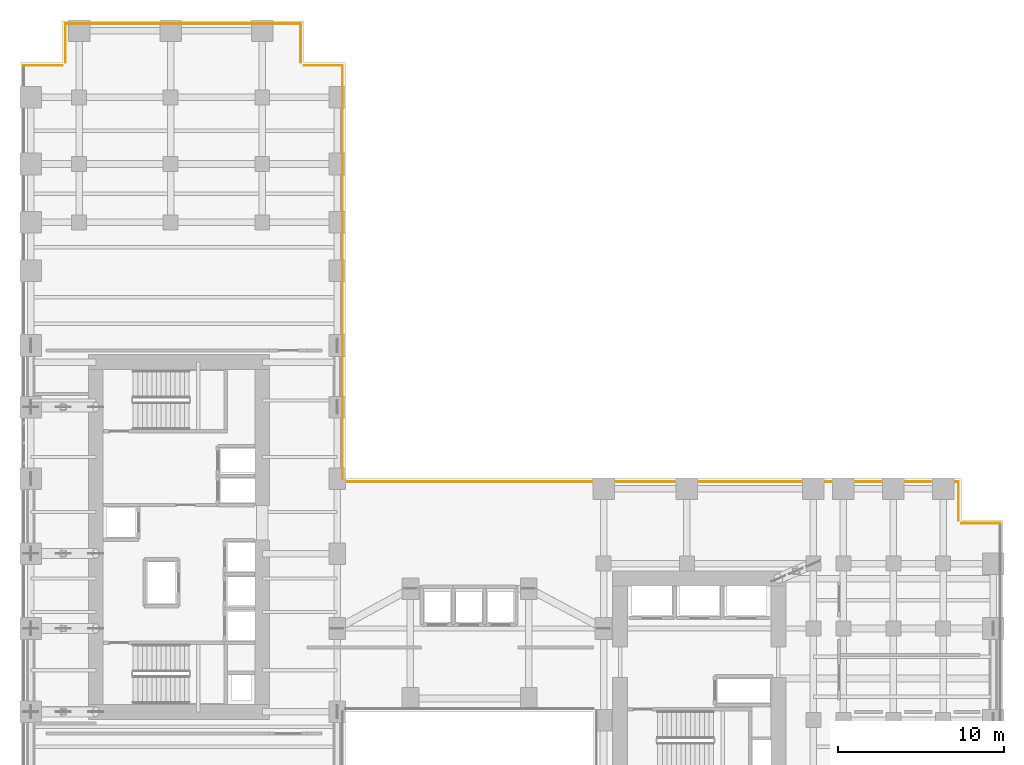
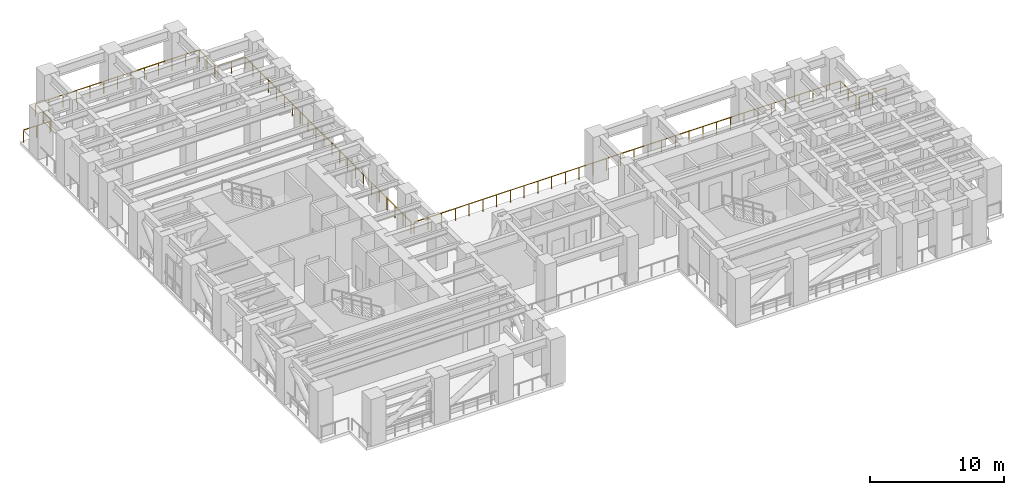
# One storey, part 16 of 16: 9 railings.
"""IFC4 building model written with IfcOpenShell, lengths in metres."""

from ifc_helpers import new_model, si_unit, direction, frame, origin, origin_2d, place, context, subcontext, project, spatial, circle, extrude, source, transform, mapped, material, layer, layer_set, type_object, element, save


model = new_model("IFC4")

# Units and contexts
model_context = context("Model", 3, precision=1e-05, world=origin(), true_north=direction((0.0, 1.0)))
body_context = subcontext(model_context, "Body", "Model", "MODEL_VIEW")
ifc_project = project(units=[si_unit("LENGTHUNIT", "METRE"), si_unit("AREAUNIT", "SQUARE_METRE"), si_unit("VOLUMEUNIT", "CUBIC_METRE"), si_unit("PLANEANGLEUNIT", "RADIAN"), si_unit("MASSUNIT", "GRAM", prefix="KILO")], contexts=[model_context])

# Site, building, storey
site_placement = place(None, origin())
site = spatial("IfcSite", under=ifc_project, at=site_placement, CompositionType="ELEMENT")
building_placement = place(site_placement, origin())
building = spatial("IfcBuilding", under=site, at=building_placement, Name="Kharzan Plaza Tower", CompositionType="ELEMENT")
storey_placement = place(building_placement, frame((0.0, 0.0, 72.89990234375)))
storey = spatial("IfcBuildingStorey", under=building, at=storey_placement, Name="L19", CompositionType="ELEMENT", Elevation=72.89990234375)

# Railings
ifc_material = material(Name="Painted Galvanized Architectural Steel", Category="steel")
ifc_layer = layer(ifc_material, 0.074951171875)
ifc_layer_set = layer_set([ifc_layer], Name="Painted Galvanized Architectural Steel")
railing_type = type_object("IfcRailingType", Name="RL-GUARD-1120", PredefinedType="BALUSTRADE", material=ifc_layer_set)
shared_shape_1 = source(origin(), body_context, "Body", "SweptSolid", [
    extrude(circle(Radius=0.02392578125, at=origin_2d()), frame((0.0263671875, 0.0, 1.09619140625), z_axis=(1.0, 0.0, 0.0), x_axis=(0.0, 1.0, 0.0)), (0.0, 0.0, 1.0), 36.76708984375),
    extrude(circle(Radius=0.02099609375, at=origin_2d()), origin(), (0.0, 0.0, 1.0), 1.072021484375),
    extrude(circle(Radius=0.02099609375, at=origin_2d()), frame((1.187744140625, 0.0, 0.0)), (0.0, 0.0, 1.0), 1.072021484375),
    extrude(circle(Radius=0.02099609375, at=origin_2d()), frame((2.37548828125, 0.0, 0.0)), (0.0, 0.0, 1.0), 1.072021484375),
    extrude(circle(Radius=0.02099609375, at=origin_2d()), frame((3.563232421875, 0.0, 0.0)), (0.0, 0.0, 1.0), 1.072021484375),
    extrude(circle(Radius=0.02099609375, at=origin_2d()), frame((4.7509765625, 0.0, 0.0)), (0.0, 0.0, 1.0), 1.072021484375),
    extrude(circle(Radius=0.02099609375, at=origin_2d()), frame((5.938720703125, 0.0, 0.0)), (0.0, 0.0, 1.0), 1.072021484375),
    extrude(circle(Radius=0.02099609375, at=origin_2d()), frame((7.12646484375, 0.0, 0.0)), (0.0, 0.0, 1.0), 1.072021484375),
    extrude(circle(Radius=0.02099609375, at=origin_2d()), frame((8.314208984375, 0.0, 0.0)), (0.0, 0.0, 1.0), 1.072021484375),
    extrude(circle(Radius=0.02099609375, at=origin_2d()), frame((9.501953125, 0.0, 0.0)), (0.0, 0.0, 1.0), 1.072021484375),
    extrude(circle(Radius=0.02099609375, at=origin_2d()), frame((10.689697265625, 0.0, 0.0)), (0.0, 0.0, 1.0), 1.072021484375),
    extrude(circle(Radius=0.02099609375, at=origin_2d()), frame((11.87744140625, 0.0, 0.0)), (0.0, 0.0, 1.0), 1.072021484375),
    extrude(circle(Radius=0.02099609375, at=origin_2d()), frame((13.065185546875, 0.0, 0.0)), (0.0, 0.0, 1.0), 1.072021484375),
    extrude(circle(Radius=0.02099609375, at=origin_2d()), frame((14.2529296875, 0.0, 0.0)), (0.0, 0.0, 1.0), 1.072021484375),
    extrude(circle(Radius=0.02099609375, at=origin_2d()), frame((15.440673828125, 0.0, 0.0)), (0.0, 0.0, 1.0), 1.072021484375),
    extrude(circle(Radius=0.02099609375, at=origin_2d()), frame((16.62841796875, 0.0, 0.0)), (0.0, 0.0, 1.0), 1.072021484375),
    extrude(circle(Radius=0.02099609375, at=origin_2d()), frame((17.816162109375, 0.0, 0.0)), (0.0, 0.0, 1.0), 1.072021484375),
    extrude(circle(Radius=0.02099609375, at=origin_2d()), frame((19.00390625, 0.0, 0.0)), (0.0, 0.0, 1.0), 1.072021484375),
    extrude(circle(Radius=0.02099609375, at=origin_2d()), frame((20.191650390625, 0.0, 0.0)), (0.0, 0.0, 1.0), 1.072021484375),
    extrude(circle(Radius=0.02099609375, at=origin_2d()), frame((21.37939453125, 0.0, 0.0)), (0.0, 0.0, 1.0), 1.072021484375),
    extrude(circle(Radius=0.02099609375, at=origin_2d()), frame((22.567138671875, 0.0, 0.0)), (0.0, 0.0, 1.0), 1.072021484375),
    extrude(circle(Radius=0.02099609375, at=origin_2d()), frame((23.7548828125, 0.0, 0.0)), (0.0, 0.0, 1.0), 1.072021484375),
    extrude(circle(Radius=0.02099609375, at=origin_2d()), frame((24.942626953125, 0.0, 0.0)), (0.0, 0.0, 1.0), 1.072021484375),
    extrude(circle(Radius=0.02099609375, at=origin_2d()), frame((26.13037109375, 0.0, 0.0)), (0.0, 0.0, 1.0), 1.072021484375),
    extrude(circle(Radius=0.02099609375, at=origin_2d()), frame((27.318115234375, 0.0, 0.0)), (0.0, 0.0, 1.0), 1.072021484375),
    extrude(circle(Radius=0.02099609375, at=origin_2d()), frame((28.505859375, 0.0, 0.0)), (0.0, 0.0, 1.0), 1.072021484375),
    extrude(circle(Radius=0.02099609375, at=origin_2d()), frame((29.693603515625, 0.0, 0.0)), (0.0, 0.0, 1.0), 1.072021484375),
    extrude(circle(Radius=0.02099609375, at=origin_2d()), frame((30.88134765625, 0.0, 0.0)), (0.0, 0.0, 1.0), 1.072021484375),
    extrude(circle(Radius=0.02099609375, at=origin_2d()), frame((32.069091796875, 0.0, 0.0)), (0.0, 0.0, 1.0), 1.072021484375),
    extrude(circle(Radius=0.02099609375, at=origin_2d()), frame((33.2568359375, 0.0, 0.0)), (0.0, 0.0, 1.0), 1.072021484375),
    extrude(circle(Radius=0.02099609375, at=origin_2d()), frame((34.444580078125, 0.0, 0.0)), (0.0, 0.0, 1.0), 1.072021484375),
    extrude(circle(Radius=0.02099609375, at=origin_2d()), frame((35.63232421875, 0.0, 0.0)), (0.0, 0.0, 1.0), 1.072021484375),
    extrude(circle(Radius=0.02099609375, at=origin_2d()), frame((36.820068359375, 0.0, 0.0)), (0.0, 0.0, 1.0), 1.072021484375),
])
railing_1_placement = place(storey_placement, frame((19.5, 22.320068359375, 0.0)))
element("IfcRailing", 1, at=railing_1_placement, inside=storey, type_object=railing_type, Name="L19 Open Refuge Floor Perimeter Guard 01", PredefinedType="BALUSTRADE", context=body_context, shape_type="MappedRepresentation", body=[
    mapped(shared_shape_1, transform((0.0, 0.0, 0.0), x_axis=(1.0, 0.0, 0.0), y_axis=(0.0, 1.0, 0.0), z_axis=(0.0, 0.0, 1.0))),
])
shared_shape_2 = source(origin(), body_context, "Body", "SweptSolid", [
    extrude(circle(Radius=0.02392578125, at=origin_2d()), frame((0.0, -0.0263671875, 1.09619140625), z_axis=(0.0, -1.0, 0.0), x_axis=(1.0, 0.0, 0.0)), (0.0, 0.0, 1.0), 2.26708984375),
    extrude(circle(Radius=0.02099609375, at=origin_2d()), origin(), (0.0, 0.0, 1.0), 1.072021484375),
    extrude(circle(Radius=0.02099609375, at=origin_2d()), frame((0.0, -1.16015625, 0.0)), (0.0, 0.0, 1.0), 1.072021484375),
    extrude(circle(Radius=0.02099609375, at=origin_2d()), frame((0.0, -2.320068359375, 0.0)), (0.0, 0.0, 1.0), 1.072021484375),
])
for number, where, name in (
    (2, (56.320068359375, 22.320068359375, 0.0), "L19 Open Refuge Floor Perimeter Guard 02"),
    (3, (16.820068359375, 49.820068359375, 0.0), "L19 Open Refuge Floor Perimeter Guard 114"),
):
    element("IfcRailing", number, at=place(storey_placement, frame(where)), inside=storey, type_object=railing_type, Name=name, PredefinedType="BALUSTRADE", context=body_context, shape_type="MappedRepresentation", body=[
        mapped(shared_shape_2, transform((0.0, 0.0, 0.0), x_axis=(1.0, 0.0, 0.0), y_axis=(0.0, 1.0, 0.0), z_axis=(0.0, 0.0, 1.0))),
    ])
shared_shape_3 = source(origin(), body_context, "Body", "SweptSolid", [
    extrude(circle(Radius=0.02392578125, at=origin_2d()), frame((0.0, 0.0263671875, 1.09619140625), z_axis=(0.0, 1.0, 0.0), x_axis=(-1.0, 0.0, 0.0)), (0.0, 0.0, 1.0), 2.26708984375),
    extrude(circle(Radius=0.02099609375, at=origin_2d()), origin(), (0.0, 0.0, 1.0), 1.072021484375),
    extrude(circle(Radius=0.02099609375, at=origin_2d()), frame((0.0, 1.16015625, 0.0)), (0.0, 0.0, 1.0), 1.072021484375),
    extrude(circle(Radius=0.02099609375, at=origin_2d()), frame((0.0, 2.320068359375, 0.0)), (0.0, 0.0, 1.0), 1.072021484375),
])
railing_2_placement = place(storey_placement, frame((2.679931640625, 47.5, 0.0)))
element("IfcRailing", 4, at=railing_2_placement, inside=storey, type_object=railing_type, Name="L19 Open Refuge Floor Perimeter Guard 112", PredefinedType="BALUSTRADE", context=body_context, shape_type="MappedRepresentation", body=[
    mapped(shared_shape_3, transform((0.0, 0.0, 0.0), x_axis=(1.0, 0.0, 0.0), y_axis=(0.0, 1.0, 0.0), z_axis=(0.0, 0.0, 1.0))),
])
shared_shape_4 = source(origin(), body_context, "Body", "SweptSolid", [
    extrude(circle(Radius=0.02392578125, at=origin_2d()), frame((0.0263671875, 0.0, 1.09619140625), z_axis=(1.0, 0.0, 0.0), x_axis=(0.0, 1.0, 0.0)), (0.0, 0.0, 1.0), 14.087158203125),
    extrude(circle(Radius=0.02099609375, at=origin_2d()), origin(), (0.0, 0.0, 1.0), 1.072021484375),
    extrude(circle(Radius=0.02099609375, at=origin_2d()), frame((1.17822265625, 0.0, 0.0)), (0.0, 0.0, 1.0), 1.072021484375),
    extrude(circle(Radius=0.02099609375, at=origin_2d()), frame((2.356689453125, 0.0, 0.0)), (0.0, 0.0, 1.0), 1.072021484375),
    extrude(circle(Radius=0.02099609375, at=origin_2d()), frame((3.53515625, 0.0, 0.0)), (0.0, 0.0, 1.0), 1.072021484375),
    extrude(circle(Radius=0.02099609375, at=origin_2d()), frame((4.71337890625, 0.0, 0.0)), (0.0, 0.0, 1.0), 1.072021484375),
    extrude(circle(Radius=0.02099609375, at=origin_2d()), frame((5.8916015625, 0.0, 0.0)), (0.0, 0.0, 1.0), 1.072021484375),
    extrude(circle(Radius=0.02099609375, at=origin_2d()), frame((7.070068359375, 0.0, 0.0)), (0.0, 0.0, 1.0), 1.072021484375),
    extrude(circle(Radius=0.02099609375, at=origin_2d()), frame((8.24853515625, 0.0, 0.0)), (0.0, 0.0, 1.0), 1.072021484375),
    extrude(circle(Radius=0.02099609375, at=origin_2d()), frame((9.4267578125, 0.0, 0.0)), (0.0, 0.0, 1.0), 1.072021484375),
    extrude(circle(Radius=0.02099609375, at=origin_2d()), frame((10.60498046875, 0.0, 0.0)), (0.0, 0.0, 1.0), 1.072021484375),
    extrude(circle(Radius=0.02099609375, at=origin_2d()), frame((11.783447265625, 0.0, 0.0)), (0.0, 0.0, 1.0), 1.072021484375),
    extrude(circle(Radius=0.02099609375, at=origin_2d()), frame((12.9619140625, 0.0, 0.0)), (0.0, 0.0, 1.0), 1.072021484375),
    extrude(circle(Radius=0.02099609375, at=origin_2d()), frame((14.14013671875, 0.0, 0.0)), (0.0, 0.0, 1.0), 1.072021484375),
])
railing_3_placement = place(storey_placement, frame((2.679931640625, 49.820068359375, 0.0)))
element("IfcRailing", 5, at=railing_3_placement, inside=storey, type_object=railing_type, Name="L19 Open Refuge Floor Perimeter Guard 113", PredefinedType="BALUSTRADE", context=body_context, shape_type="MappedRepresentation", body=[
    mapped(shared_shape_4, transform((0.0, 0.0, 0.0), x_axis=(1.0, 0.0, 0.0), y_axis=(0.0, 1.0, 0.0), z_axis=(0.0, 0.0, 1.0))),
])
shared_shape_5 = source(origin(), body_context, "Body", "SweptSolid", [
    extrude(circle(Radius=0.02392578125, at=origin_2d()), frame((0.0263671875, 0.0, 1.09619140625), z_axis=(1.0, 0.0, 0.0), x_axis=(0.0, 1.0, 0.0)), (0.0, 0.0, 1.0), 2.26708984375),
    extrude(circle(Radius=0.02099609375, at=origin_2d()), origin(), (0.0, 0.0, 1.0), 1.072021484375),
    extrude(circle(Radius=0.02099609375, at=origin_2d()), frame((1.16015625, 0.0, 0.0)), (0.0, 0.0, 1.0), 1.072021484375),
    extrude(circle(Radius=0.02099609375, at=origin_2d()), frame((2.320068359375, 0.0, 0.0)), (0.0, 0.0, 1.0), 1.072021484375),
])
for number, where, name in (
    (6, (17.0, 47.320068359375, 0.0), "L19 Open Refuge Floor Perimeter Guard 131"),
    (7, (56.5, 19.820068359375, 0.0), "L19 Open Refuge Floor Perimeter Guard 19"),
    (8, (0.179931640625, 47.320068359375, 0.0), "L19 Open Refuge Floor Perimeter Guard 95"),
):
    element("IfcRailing", number, at=place(storey_placement, frame(where)), inside=storey, type_object=railing_type, Name=name, PredefinedType="BALUSTRADE", context=body_context, shape_type="MappedRepresentation", body=[
        mapped(shared_shape_5, transform((0.0, 0.0, 0.0), x_axis=(1.0, 0.0, 0.0), y_axis=(0.0, 1.0, 0.0), z_axis=(0.0, 0.0, 1.0))),
    ])
shared_shape_6 = source(origin(), body_context, "Body", "SweptSolid", [
    extrude(circle(Radius=0.02392578125, at=origin_2d()), frame((0.0, -0.0263671875, 1.09619140625), z_axis=(0.0, -1.0, 0.0), x_axis=(1.0, 0.0, 0.0)), (0.0, 0.0, 1.0), 24.76708984375),
    extrude(circle(Radius=0.02099609375, at=origin_2d()), origin(), (0.0, 0.0, 1.0), 1.072021484375),
    extrude(circle(Radius=0.02099609375, at=origin_2d()), frame((0.0, -1.181884765625, 0.0)), (0.0, 0.0, 1.0), 1.072021484375),
    extrude(circle(Radius=0.02099609375, at=origin_2d()), frame((0.0, -2.36376953125, 0.0)), (0.0, 0.0, 1.0), 1.072021484375),
    extrude(circle(Radius=0.02099609375, at=origin_2d()), frame((0.0, -3.545654296875, 0.0)), (0.0, 0.0, 1.0), 1.072021484375),
    extrude(circle(Radius=0.02099609375, at=origin_2d()), frame((0.0, -4.7275390625, 0.0)), (0.0, 0.0, 1.0), 1.072021484375),
    extrude(circle(Radius=0.02099609375, at=origin_2d()), frame((0.0, -5.909423828125, 0.0)), (0.0, 0.0, 1.0), 1.072021484375),
    extrude(circle(Radius=0.02099609375, at=origin_2d()), frame((0.0, -7.091552734375, 0.0)), (0.0, 0.0, 1.0), 1.072021484375),
    extrude(circle(Radius=0.02099609375, at=origin_2d()), frame((0.0, -8.2734375, 0.0)), (0.0, 0.0, 1.0), 1.072021484375),
    extrude(circle(Radius=0.02099609375, at=origin_2d()), frame((0.0, -9.455322265625, 0.0)), (0.0, 0.0, 1.0), 1.072021484375),
    extrude(circle(Radius=0.02099609375, at=origin_2d()), frame((0.0, -10.63720703125, 0.0)), (0.0, 0.0, 1.0), 1.072021484375),
    extrude(circle(Radius=0.02099609375, at=origin_2d()), frame((0.0, -11.819091796875, 0.0)), (0.0, 0.0, 1.0), 1.072021484375),
    extrude(circle(Radius=0.02099609375, at=origin_2d()), frame((0.0, -13.0009765625, 0.0)), (0.0, 0.0, 1.0), 1.072021484375),
    extrude(circle(Radius=0.02099609375, at=origin_2d()), frame((0.0, -14.182861328125, 0.0)), (0.0, 0.0, 1.0), 1.072021484375),
    extrude(circle(Radius=0.02099609375, at=origin_2d()), frame((0.0, -15.36474609375, 0.0)), (0.0, 0.0, 1.0), 1.072021484375),
    extrude(circle(Radius=0.02099609375, at=origin_2d()), frame((0.0, -16.546630859375, 0.0)), (0.0, 0.0, 1.0), 1.072021484375),
    extrude(circle(Radius=0.02099609375, at=origin_2d()), frame((0.0, -17.728515625, 0.0)), (0.0, 0.0, 1.0), 1.072021484375),
    extrude(circle(Radius=0.02099609375, at=origin_2d()), frame((0.0, -18.91064453125, 0.0)), (0.0, 0.0, 1.0), 1.072021484375),
    extrude(circle(Radius=0.02099609375, at=origin_2d()), frame((0.0, -20.092529296875, 0.0)), (0.0, 0.0, 1.0), 1.072021484375),
    extrude(circle(Radius=0.02099609375, at=origin_2d()), frame((0.0, -21.2744140625, 0.0)), (0.0, 0.0, 1.0), 1.072021484375),
    extrude(circle(Radius=0.02099609375, at=origin_2d()), frame((0.0, -22.456298828125, 0.0)), (0.0, 0.0, 1.0), 1.072021484375),
    extrude(circle(Radius=0.02099609375, at=origin_2d()), frame((0.0, -23.63818359375, 0.0)), (0.0, 0.0, 1.0), 1.072021484375),
    extrude(circle(Radius=0.02099609375, at=origin_2d()), frame((0.0, -24.820068359375, 0.0)), (0.0, 0.0, 1.0), 1.072021484375),
])
railing_4_placement = place(storey_placement, frame((19.320068359375, 47.320068359375, 0.0)))
element("IfcRailing", 9, at=railing_4_placement, inside=storey, type_object=railing_type, Name="L19 Open Refuge Floor Perimeter Guard 132", PredefinedType="BALUSTRADE", context=body_context, shape_type="MappedRepresentation", body=[
    mapped(shared_shape_6, transform((0.0, 0.0, 0.0), x_axis=(1.0, 0.0, 0.0), y_axis=(0.0, 1.0, 0.0), z_axis=(0.0, 0.0, 1.0))),
])

save(model, "model.ifc")
